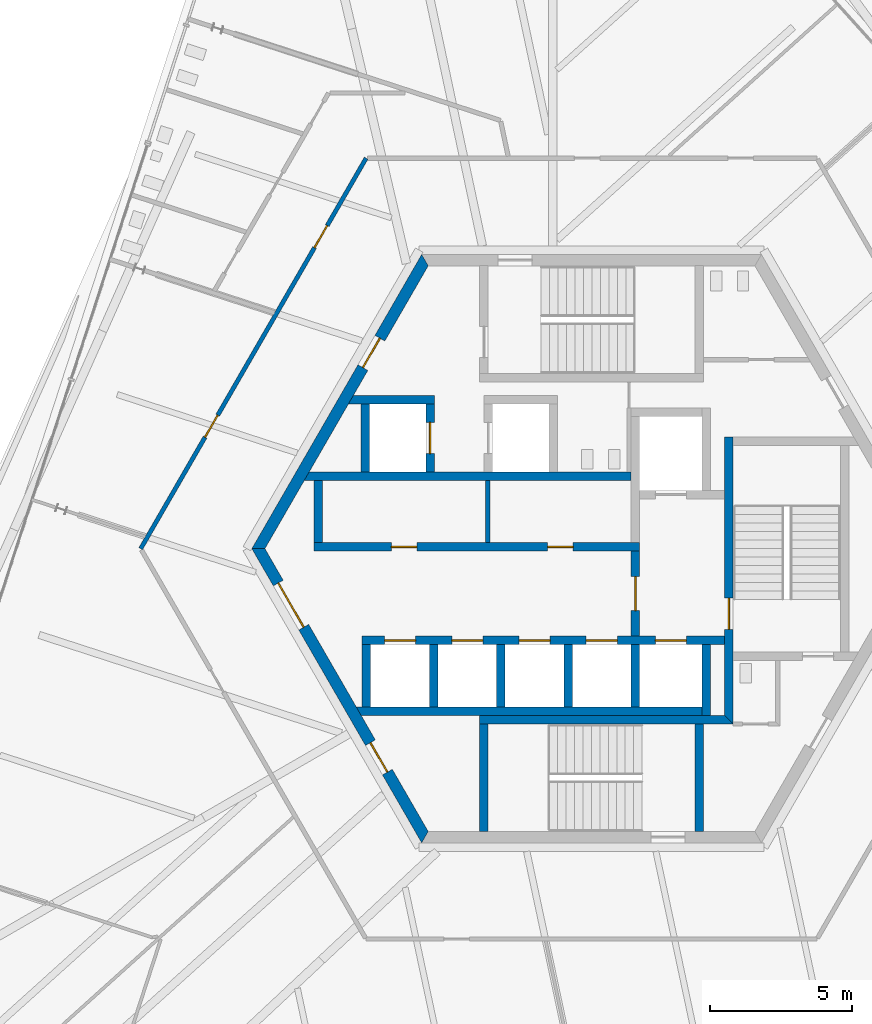
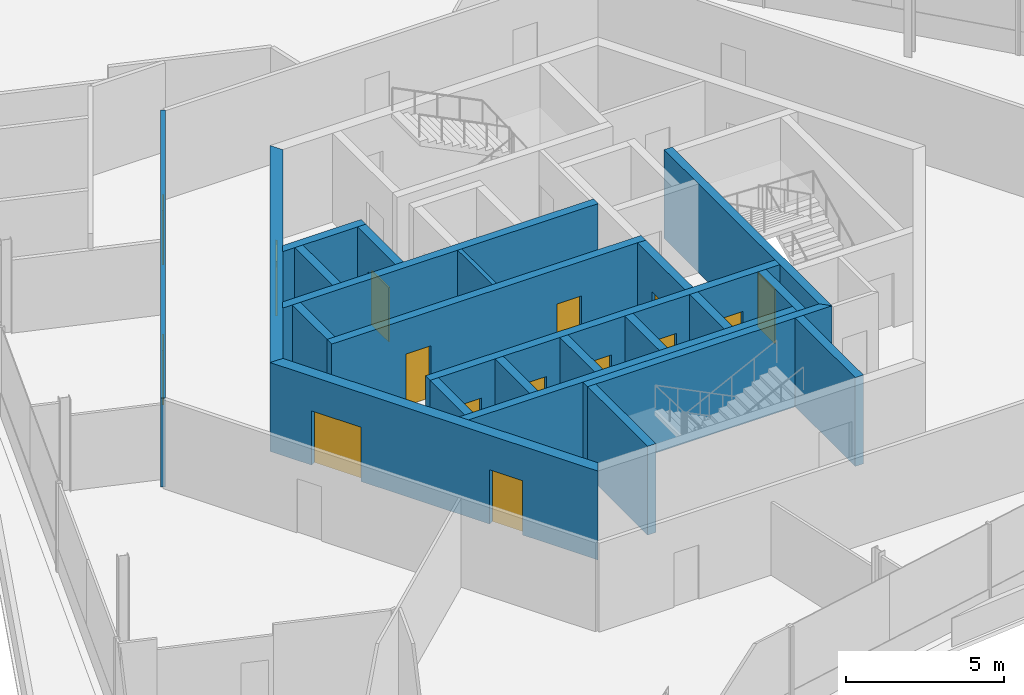
# One storey, part 14 of 20: 23 walls, 15 doors, 15 openings.
"""IFC4 building model written with IfcOpenShell, lengths in metres."""

from ifc_helpers import new_model, si_unit, direction, frame, frame_2d, origin, place, context, subcontext, project, spatial, polyline, rectangle, outline, extrude, source, transform, mapped, material, layer, layer_set, type_object, element, fill, save


model = new_model("IFC4")

# Units and contexts
model_context = context("Model", 3, precision=1e-05, world=origin(), true_north=direction((0.0, 1.0)))
body_context = subcontext(model_context, "Body", "Model", "MODEL_VIEW")
ifc_project = project(units=[si_unit("LENGTHUNIT", "METRE"), si_unit("AREAUNIT", "SQUARE_METRE"), si_unit("VOLUMEUNIT", "CUBIC_METRE"), si_unit("PLANEANGLEUNIT", "RADIAN"), si_unit("MASSUNIT", "GRAM", prefix="KILO")], contexts=[model_context])

# Site, building, storey
site_placement = place(None, origin())
site = spatial("IfcSite", under=ifc_project, at=site_placement, CompositionType="ELEMENT")
building_placement = place(site_placement, origin())
building = spatial("IfcBuilding", under=site, at=building_placement, Name="Triune Harvest Tower", CompositionType="ELEMENT")
storey_placement = place(building_placement, frame((0.0, 0.0, 259.5)))
storey = spatial("IfcBuildingStorey", under=building, at=storey_placement, Name="L68", CompositionType="ELEMENT", Elevation=259.5)

# Wall, opening, door
ifc_material_1 = material(Name="Concrete 70 MPa", Category="concrete")
ifc_layer_1 = layer(ifc_material_1, 0.39990234375)
ifc_layer_set_1 = layer_set([ifc_layer_1], Name="Concrete 70 MPa")
wall_type_1 = type_object("IfcWallType", Name="Core wall 400", PredefinedType="SHEAR", material=ifc_layer_set_1)
shared_shape_1 = source(origin(), body_context, "Body", "SweptSolid", [
    extrude(outline(polyline([(-0.115478515625, -0.199951171875), (11.884521484375, -0.199951171875), (11.653564453125, 0.199951171875), (0.115478515625, 0.199951171875), (-0.115478515625, -0.199951171875)])), origin(), (0.0, 0.0, 1.0), 3.43994140625),
])
wall_1_placement = place(storey_placement, frame((-5.884521484375, 10.1923828125, 0.0), z_axis=(0.0, 0.0, 1.0), x_axis=(-0.499996592174, -0.866027371285, 0.0)))
wall_1 = element("IfcWall", 1, at=wall_1_placement, inside=storey, type_object=wall_type_1, Name="Hexagon 2 wall", PredefinedType="SHEAR", context=body_context, shape_type="MappedRepresentation", body=[
    mapped(shared_shape_1, transform((0.0, 0.0, 0.0), scale=1.0)),
])
opening_1_placement = place(wall_1_placement, frame((3.1845703125, 0.0, 0.0)))
opening_1 = element("IfcOpeningElement", 2, at=opening_1_placement, cuts=wall_1, Name="Opening CD-SVP", PredefinedType="OPENING", context=body_context, shape_type="SweptSolid", body=[
    extrude(rectangle(XDim=1.199951171875, YDim=2.10009765625, at=frame_2d((0.60009765625, 1.050048828125))), frame((0.0, 0.2099609375, 0.0), z_axis=(0.0, -1.0, 0.0), x_axis=(1.0, 0.0, 0.0)), (0.0, 0.0, 1.0), 0.419921875),
])
ifc_material_2 = material(Name="Steel S235", Category="steel")
door_type_1 = type_object("IfcDoorType", Name="Service door 1200 FD120", OperationType="SINGLE_SWING_LEFT", PredefinedType="DOOR", material=ifc_material_2)
door_1_placement = place(opening_1_placement, frame((1.199951171875, 0.0, 0.0), z_axis=(0.0, 0.0, 1.0), x_axis=(-1.0, 0.0, 0.0)))
door_1 = element("IfcDoor", 3, at=door_1_placement, inside=storey, type_object=door_type_1, Name="Door CD-SVP", OperationType="SINGLE_SWING_RIGHT", OverallHeight=2.10009765625, OverallWidth=1.199951171875, PredefinedType="DOOR", context=body_context, shape_type="SweptSolid", body=[
    extrude(rectangle(XDim=1.199951171875, YDim=2.10009765625, at=frame_2d((0.60009765625, 1.050048828125))), frame((0.0, 0.02490234375, 0.0), z_axis=(0.0, -1.0, 0.0), x_axis=(1.0, 0.0, 0.0)), (0.0, 0.0, 1.0), 0.050048828125),
])
fill(opening_1, door_1)

# Wall, openings, doors
wall_2_placement = place(storey_placement, frame((-11.76904296875, 0.0, 0.0), z_axis=(0.0, 0.0, 1.0), x_axis=(0.499996592174, -0.866027371285, 0.0)))
wall_2 = element("IfcWall", 4, at=wall_2_placement, inside=storey, type_object=wall_type_1, Name="Hexagon 3 wall", PredefinedType="SHEAR", context=body_context, shape_type="MappedRepresentation", body=[
    mapped(shared_shape_1, transform((0.0, 0.0, 0.0), scale=1.0)),
])
opening_2_placement = place(wall_2_placement, frame((1.404541015625, 0.0, 0.0)))
opening_2 = element("IfcOpeningElement", 5, at=opening_2_placement, cuts=wall_2, Name="Opening CD-LS", PredefinedType="OPENING", context=body_context, shape_type="SweptSolid", body=[
    extrude(rectangle(XDim=1.800048828125, YDim=2.10009765625, at=frame_2d((0.89990234375, 1.050048828125))), frame((0.0, 0.2099609375, 0.0), z_axis=(0.0, -1.0, 0.0), x_axis=(1.0, 0.0, 0.0)), (0.0, 0.0, 1.0), 0.419921875),
])
opening_3_placement = place(wall_2_placement, frame((7.91455078125, 0.0, 0.0)))
opening_3 = element("IfcOpeningElement", 6, at=opening_3_placement, cuts=wall_2, Name="Opening CD-SWP", PredefinedType="OPENING", context=body_context, shape_type="SweptSolid", body=[
    extrude(rectangle(XDim=1.199951171875, YDim=2.10009765625, at=frame_2d((0.60009765625, 1.050048828125))), frame((0.0, 0.2099609375, 0.0), z_axis=(0.0, -1.0, 0.0), x_axis=(1.0, 0.0, 0.0)), (0.0, 0.0, 1.0), 0.419921875),
])
ifc_material_3 = material(Name="Steel S235", Category="steel")
door_type_2 = type_object("IfcDoorType", Name="Lobby door 1800 FD120", OperationType="DOUBLE_DOOR_DOUBLE_SWING", PredefinedType="DOOR", material=ifc_material_3)
door_2_placement = place(opening_2_placement, frame((1.800048828125, 0.0, 0.0), z_axis=(0.0, 0.0, 1.0), x_axis=(-1.0, 0.0, 0.0)))
door_2 = element("IfcDoor", 7, at=door_2_placement, inside=storey, type_object=door_type_2, Name="Door CD-LS", OperationType="DOUBLE_DOOR_DOUBLE_SWING", OverallHeight=2.10009765625, OverallWidth=1.800048828125, PredefinedType="DOOR", context=body_context, shape_type="SweptSolid", body=[
    extrude(rectangle(XDim=1.800048828125, YDim=2.10009765625, at=frame_2d((0.89990234375, 1.050048828125))), frame((0.0, 0.02490234375, 0.0), z_axis=(0.0, -1.0, 0.0), x_axis=(1.0, 0.0, 0.0)), (0.0, 0.0, 1.0), 0.050048828125),
])
fill(opening_2, door_2)
door_3_placement = place(opening_3_placement, frame((1.199951171875, 0.0, 0.0), z_axis=(0.0, 0.0, 1.0), x_axis=(-1.0, 0.0, 0.0)))
door_3 = element("IfcDoor", 8, at=door_3_placement, inside=storey, type_object=door_type_1, Name="Door CD-SWP", OperationType="SINGLE_SWING_RIGHT", OverallHeight=2.10009765625, OverallWidth=1.199951171875, PredefinedType="DOOR", context=body_context, shape_type="SweptSolid", body=[
    extrude(rectangle(XDim=1.199951171875, YDim=2.10009765625, at=frame_2d((0.60009765625, 1.050048828125))), frame((0.0, 0.02490234375, 0.0), z_axis=(0.0, -1.0, 0.0), x_axis=(1.0, 0.0, 0.0)), (0.0, 0.0, 1.0), 0.050048828125),
])
fill(opening_3, door_3)

ifc_material_4 = material(Name="Concrete 70 MPa", Category="concrete")
ifc_layer_2 = layer(ifc_material_4, 0.300048828125)
ifc_layer_set_2 = layer_set([ifc_layer_2], Name="Concrete 70 MPa")
wall_type_2 = type_object("IfcWallType", Name="Core wall 300", PredefinedType="SHEAR", material=ifc_layer_set_2)
shared_shape_2 = source(origin(), body_context, "Body", "SweptSolid", [
    extrude(rectangle(XDim=11.5, YDim=0.300048828125, at=frame_2d((5.75, 0.0))), origin(), (0.0, 0.0, 1.0), 3.43994140625),
])
wall_3_placement = place(storey_placement, frame((-9.800048828125, 0.06005859375, 0.0), z_axis=(0.0, 0.0, 1.0), x_axis=(1.0, 0.0, 0.0)))
wall_3 = element("IfcWall", 9, at=wall_3_placement, inside=storey, type_object=wall_type_2, Name="North front wall", PredefinedType="SHEAR", context=body_context, shape_type="MappedRepresentation", body=[
    mapped(shared_shape_2, transform((0.0, 0.0, 0.0), scale=1.0)),
])
opening_4_placement = place(wall_3_placement, frame((2.7275390625, 0.0, 0.0)))
opening_4 = element("IfcOpeningElement", 10, at=opening_4_placement, cuts=wall_3, Name="Opening CD-RN1", PredefinedType="OPENING", context=body_context, shape_type="SweptSolid", body=[
    extrude(rectangle(XDim=0.89990234375, YDim=2.10009765625, at=frame_2d((0.449951171875, 1.050048828125))), frame((0.0, 0.16015625, 0.0), z_axis=(0.0, -1.0, 0.0), x_axis=(1.0, 0.0, 0.0)), (0.0, 0.0, 1.0), 0.320068359375),
])
opening_5_placement = place(wall_3_placement, frame((8.25244140625, 0.0, 0.0)))
opening_5 = element("IfcOpeningElement", 11, at=opening_5_placement, cuts=wall_3, Name="Opening CD-RN2", PredefinedType="OPENING", context=body_context, shape_type="SweptSolid", body=[
    extrude(rectangle(XDim=0.89990234375, YDim=2.10009765625, at=frame_2d((0.449951171875, 1.050048828125))), frame((0.0, 0.16015625, 0.0), z_axis=(0.0, -1.0, 0.0), x_axis=(1.0, 0.0, 0.0)), (0.0, 0.0, 1.0), 0.320068359375),
])
ifc_material_5 = material(Name="Steel S235", Category="steel")
door_type_3 = type_object("IfcDoorType", Name="Riser door 900 FD120", OperationType="SINGLE_SWING_LEFT", PredefinedType="DOOR", material=ifc_material_5)
door_4_placement = place(opening_4_placement, frame((0.89990234375, 0.0, 0.0), z_axis=(0.0, 0.0, 1.0), x_axis=(-1.0, 0.0, 0.0)))
door_4 = element("IfcDoor", 12, at=door_4_placement, inside=storey, type_object=door_type_3, Name="Door CD-RN1", OperationType="SINGLE_SWING_RIGHT", OverallHeight=2.10009765625, OverallWidth=0.89990234375, PredefinedType="DOOR", context=body_context, shape_type="SweptSolid", body=[
    extrude(rectangle(XDim=0.89990234375, YDim=2.10009765625, at=frame_2d((0.449951171875, 1.050048828125))), frame((0.0, 0.02490234375, 0.0), z_axis=(0.0, -1.0, 0.0), x_axis=(1.0, 0.0, 0.0)), (0.0, 0.0, 1.0), 0.050048828125),
])
fill(opening_4, door_4)
door_5_placement = place(opening_5_placement, frame((0.89990234375, 0.0, 0.0), z_axis=(0.0, 0.0, 1.0), x_axis=(-1.0, 0.0, 0.0)))
door_5 = element("IfcDoor", 13, at=door_5_placement, inside=storey, type_object=door_type_3, Name="Door CD-RN2", OperationType="SINGLE_SWING_RIGHT", OverallHeight=2.10009765625, OverallWidth=0.89990234375, PredefinedType="DOOR", context=body_context, shape_type="SweptSolid", body=[
    extrude(rectangle(XDim=0.89990234375, YDim=2.10009765625, at=frame_2d((0.449951171875, 1.050048828125))), frame((0.0, 0.02490234375, 0.0), z_axis=(0.0, -1.0, 0.0), x_axis=(1.0, 0.0, 0.0)), (0.0, 0.0, 1.0), 0.050048828125),
])
fill(opening_5, door_5)

# Walls
shared_shape_3 = source(origin(), body_context, "Body", "SweptSolid", [
    extrude(outline(polyline([(11.199951171875, -0.14990234375), (-0.34912109375, -0.14990234375), (-0.17578125, 0.14990234375), (11.199951171875, 0.14990234375), (11.199951171875, -0.14990234375)])), origin(), (0.0, 0.0, 1.0), 3.43994140625),
])
wall_4_placement = place(storey_placement, frame((-9.800048828125, 2.56005859375, 0.0), z_axis=(0.0, 0.0, 1.0), x_axis=(1.0, 0.0, 0.0)))
element("IfcWall", 14, at=wall_4_placement, inside=storey, type_object=wall_type_2, Name="North back wall", PredefinedType="SHEAR", context=body_context, shape_type="MappedRepresentation", body=[
    mapped(shared_shape_3, transform((0.0, 0.0, 0.0), scale=1.0)),
])
shared_shape_4 = source(origin(), body_context, "Body", "SweptSolid", [
    extrude(rectangle(XDim=2.5, YDim=0.300048828125, at=frame_2d((1.25, 0.0))), origin(), (0.0, 0.0, 1.0), 3.43994140625),
])
wall_5_placement = place(storey_placement, frame((4.050048828125, -5.889892578125, 0.0), z_axis=(0.0, 0.0, 1.0), x_axis=(0.0, 1.0, 0.0)))
element("IfcWall", 15, at=wall_5_placement, inside=storey, type_object=wall_type_2, Name="Ff2 east wall", PredefinedType="SHEAR", context=body_context, shape_type="MappedRepresentation", body=[
    mapped(shared_shape_4, transform((0.0, 0.0, 0.0), scale=1.0)),
])

# Wall, opening, door
shared_shape_5 = source(origin(), body_context, "Body", "SweptSolid", [
    extrude(rectangle(XDim=3.0, YDim=0.300048828125, at=frame_2d((1.5, 0.0))), origin(), (0.0, 0.0, 1.0), 3.43994140625),
])
wall_6_placement = place(storey_placement, frame((1.550048828125, -3.090087890625, 0.0), z_axis=(0.0, 0.0, 1.0), x_axis=(0.0, 1.0, 0.0)))
wall_6 = element("IfcWall", 16, at=wall_6_placement, inside=storey, type_object=wall_type_2, Name="Ff lobby west wall", PredefinedType="SHEAR", context=body_context, shape_type="MappedRepresentation", body=[
    mapped(shared_shape_5, transform((0.0, 0.0, 0.0), scale=1.0)),
])
opening_6_placement = place(wall_6_placement, frame((0.89990234375, 0.0, 0.0)))
opening_6 = element("IfcOpeningElement", 17, at=opening_6_placement, cuts=wall_6, Name="Opening CD-FL", PredefinedType="OPENING", context=body_context, shape_type="SweptSolid", body=[
    extrude(rectangle(XDim=1.199951171875, YDim=2.10009765625, at=frame_2d((0.60009765625, 1.050048828125))), frame((0.0, 0.16015625, 0.0), z_axis=(0.0, -1.0, 0.0), x_axis=(1.0, 0.0, 0.0)), (0.0, 0.0, 1.0), 0.320068359375),
])
ifc_material_6 = material(Name="Steel S235", Category="steel")
door_type_4 = type_object("IfcDoorType", Name="Firefighters' lobby door 1200 FD120", OperationType="SINGLE_SWING_LEFT", PredefinedType="DOOR", material=ifc_material_6)
door_6_placement = place(opening_6_placement, frame((1.199951171875, 0.0, 0.0), z_axis=(0.0, 0.0, 1.0), x_axis=(-1.0, 0.0, 0.0)))
door_6 = element("IfcDoor", 18, at=door_6_placement, inside=storey, type_object=door_type_4, Name="Door CD-FL", OperationType="SINGLE_SWING_RIGHT", OverallHeight=2.10009765625, OverallWidth=1.199951171875, PredefinedType="DOOR", context=body_context, shape_type="SweptSolid", body=[
    extrude(rectangle(XDim=1.199951171875, YDim=2.10009765625, at=frame_2d((0.60009765625, 1.050048828125))), frame((0.0, 0.02490234375, 0.0), z_axis=(0.0, -1.0, 0.0), x_axis=(1.0, 0.0, 0.0)), (0.0, 0.0, 1.0), 0.050048828125),
])
fill(opening_6, door_6)

# Wall, openings, doors
shared_shape_6 = source(origin(), body_context, "Body", "SweptSolid", [
    extrude(rectangle(XDim=12.800048828125, YDim=0.300048828125, at=frame_2d((6.39990234375, 0.0))), origin(), (0.0, 0.0, 1.0), 3.43994140625),
])
wall_7_placement = place(storey_placement, frame((-8.10009765625, -3.239990234375, 0.0), z_axis=(0.0, 0.0, 1.0), x_axis=(1.0, 0.0, 0.0)))
wall_7 = element("IfcWall", 19, at=wall_7_placement, inside=storey, type_object=wall_type_2, Name="South front wall", PredefinedType="SHEAR", context=body_context, shape_type="MappedRepresentation", body=[
    mapped(shared_shape_6, transform((0.0, 0.0, 0.0), scale=1.0)),
])
opening_7_placement = place(wall_7_placement, frame((0.78759765625, 0.0, 0.0)))
opening_7 = element("IfcOpeningElement", 20, at=opening_7_placement, cuts=wall_7, Name="Opening LD-HR1-68", PredefinedType="OPENING", context=body_context, shape_type="SweptSolid", body=[
    extrude(rectangle(XDim=1.10009765625, YDim=2.10009765625, at=frame_2d((0.550048828125, 1.050048828125))), frame((0.0, 0.16015625, 0.0), z_axis=(0.0, -1.0, 0.0), x_axis=(1.0, 0.0, 0.0)), (0.0, 0.0, 1.0), 0.320068359375),
])
opening_8_placement = place(wall_7_placement, frame((3.16259765625, 0.0, 0.0)))
opening_8 = element("IfcOpeningElement", 21, at=opening_8_placement, cuts=wall_7, Name="Opening LD-HR2-68", PredefinedType="OPENING", context=body_context, shape_type="SweptSolid", body=[
    extrude(rectangle(XDim=1.10009765625, YDim=2.10009765625, at=frame_2d((0.550048828125, 1.050048828125))), frame((0.0, 0.16015625, 0.0), z_axis=(0.0, -1.0, 0.0), x_axis=(1.0, 0.0, 0.0)), (0.0, 0.0, 1.0), 0.320068359375),
])
opening_9_placement = place(wall_7_placement, frame((5.53759765625, 0.0, 0.0)))
opening_9 = element("IfcOpeningElement", 22, at=opening_9_placement, cuts=wall_7, Name="Opening LD-HR3-68", PredefinedType="OPENING", context=body_context, shape_type="SweptSolid", body=[
    extrude(rectangle(XDim=1.10009765625, YDim=2.10009765625, at=frame_2d((0.550048828125, 1.050048828125))), frame((0.0, 0.16015625, 0.0), z_axis=(0.0, -1.0, 0.0), x_axis=(1.0, 0.0, 0.0)), (0.0, 0.0, 1.0), 0.320068359375),
])
opening_10_placement = place(wall_7_placement, frame((7.91259765625, 0.0, 0.0)))
opening_10 = element("IfcOpeningElement", 23, at=opening_10_placement, cuts=wall_7, Name="Opening LD-HR4-68", PredefinedType="OPENING", context=body_context, shape_type="SweptSolid", body=[
    extrude(rectangle(XDim=1.10009765625, YDim=2.10009765625, at=frame_2d((0.550048828125, 1.050048828125))), frame((0.0, 0.16015625, 0.0), z_axis=(0.0, -1.0, 0.0), x_axis=(1.0, 0.0, 0.0)), (0.0, 0.0, 1.0), 0.320068359375),
])
opening_11_placement = place(wall_7_placement, frame((10.35009765625, 0.0, 0.0)))
opening_11 = element("IfcOpeningElement", 24, at=opening_11_placement, cuts=wall_7, Name="Opening LD-FF2-68", PredefinedType="OPENING", context=body_context, shape_type="SweptSolid", body=[
    extrude(rectangle(XDim=1.10009765625, YDim=2.10009765625, at=frame_2d((0.550048828125, 1.050048828125))), frame((0.0, 0.16015625, 0.0), z_axis=(0.0, -1.0, 0.0), x_axis=(1.0, 0.0, 0.0)), (0.0, 0.0, 1.0), 0.320068359375),
])
ifc_material_7 = material(Name="Stainless steel AISI 304", Category="steel")
door_type_5 = type_object("IfcDoorType", Name="Landing door 1100 x 2100", OperationType="DOUBLE_DOOR_SLIDING", PredefinedType="DOOR", material=ifc_material_7)
door_7_placement = place(opening_7_placement, origin())
door_7 = element("IfcDoor", 25, at=door_7_placement, inside=storey, type_object=door_type_5, Name="Door LD-HR1-68", OperationType="DOUBLE_DOOR_SLIDING", OverallHeight=2.10009765625, OverallWidth=1.10009765625, PredefinedType="DOOR", context=body_context, shape_type="SweptSolid", body=[
    extrude(rectangle(XDim=1.10009765625, YDim=2.10009765625, at=frame_2d((0.550048828125, 1.050048828125))), frame((0.0, 0.02490234375, 0.0), z_axis=(0.0, -1.0, 0.0), x_axis=(1.0, 0.0, 0.0)), (0.0, 0.0, 1.0), 0.050048828125),
])
fill(opening_7, door_7)
door_8_placement = place(opening_8_placement, origin())
door_8 = element("IfcDoor", 26, at=door_8_placement, inside=storey, type_object=door_type_5, Name="Door LD-HR2-68", OperationType="DOUBLE_DOOR_SLIDING", OverallHeight=2.10009765625, OverallWidth=1.10009765625, PredefinedType="DOOR", context=body_context, shape_type="SweptSolid", body=[
    extrude(rectangle(XDim=1.10009765625, YDim=2.10009765625, at=frame_2d((0.550048828125, 1.050048828125))), frame((0.0, 0.02490234375, 0.0), z_axis=(0.0, -1.0, 0.0), x_axis=(1.0, 0.0, 0.0)), (0.0, 0.0, 1.0), 0.050048828125),
])
fill(opening_8, door_8)
door_9_placement = place(opening_9_placement, origin())
door_9 = element("IfcDoor", 27, at=door_9_placement, inside=storey, type_object=door_type_5, Name="Door LD-HR3-68", OperationType="DOUBLE_DOOR_SLIDING", OverallHeight=2.10009765625, OverallWidth=1.10009765625, PredefinedType="DOOR", context=body_context, shape_type="SweptSolid", body=[
    extrude(rectangle(XDim=1.10009765625, YDim=2.10009765625, at=frame_2d((0.550048828125, 1.050048828125))), frame((0.0, 0.02490234375, 0.0), z_axis=(0.0, -1.0, 0.0), x_axis=(1.0, 0.0, 0.0)), (0.0, 0.0, 1.0), 0.050048828125),
])
fill(opening_9, door_9)
door_10_placement = place(opening_10_placement, origin())
door_10 = element("IfcDoor", 28, at=door_10_placement, inside=storey, type_object=door_type_5, Name="Door LD-HR4-68", OperationType="DOUBLE_DOOR_SLIDING", OverallHeight=2.10009765625, OverallWidth=1.10009765625, PredefinedType="DOOR", context=body_context, shape_type="SweptSolid", body=[
    extrude(rectangle(XDim=1.10009765625, YDim=2.10009765625, at=frame_2d((0.550048828125, 1.050048828125))), frame((0.0, 0.02490234375, 0.0), z_axis=(0.0, -1.0, 0.0), x_axis=(1.0, 0.0, 0.0)), (0.0, 0.0, 1.0), 0.050048828125),
])
fill(opening_10, door_10)
door_11_placement = place(opening_11_placement, origin())
door_11 = element("IfcDoor", 29, at=door_11_placement, inside=storey, type_object=door_type_5, Name="Door LD-FF2-68", OperationType="DOUBLE_DOOR_SLIDING", OverallHeight=2.10009765625, OverallWidth=1.10009765625, PredefinedType="DOOR", context=body_context, shape_type="SweptSolid", body=[
    extrude(rectangle(XDim=1.10009765625, YDim=2.10009765625, at=frame_2d((0.550048828125, 1.050048828125))), frame((0.0, 0.02490234375, 0.0), z_axis=(0.0, -1.0, 0.0), x_axis=(1.0, 0.0, 0.0)), (0.0, 0.0, 1.0), 0.050048828125),
])
fill(opening_11, door_11)

# Walls
shared_shape_7 = source(origin(), body_context, "Body", "SweptSolid", [
    extrude(outline(polyline([(12.0, -0.14990234375), (-0.039794921875, -0.14990234375), (-0.212890625, 0.14990234375), (12.0, 0.14990234375), (12.0, -0.14990234375)])), origin(), (0.0, 0.0, 1.0), 3.43994140625),
])
wall_8_placement = place(storey_placement, frame((-8.10009765625, -5.739990234375, 0.0), z_axis=(0.0, 0.0, 1.0), x_axis=(1.0, 0.0, 0.0)))
element("IfcWall", 30, at=wall_8_placement, inside=storey, type_object=wall_type_2, Name="South back wall", PredefinedType="SHEAR", context=body_context, shape_type="MappedRepresentation", body=[
    mapped(shared_shape_7, transform((0.0, 0.0, 0.0), scale=1.0)),
])
shared_shape_8 = source(origin(), body_context, "Body", "SweptSolid", [
    extrude(rectangle(XDim=2.2001953125, YDim=0.300048828125, at=frame_2d((1.10009765625, 0.0))), origin(), (0.0, 0.0, 1.0), 3.43994140625),
])
for number, where, z_axis, x_axis, name in (
    (31, (-7.949951171875, -5.590087890625, 0.0), (0.0, 0.0, 1.0), (0.0, 1.0, 0.0), "South end west wall"),
    (32, (1.550048828125, -5.590087890625, 0.0), (0.0, 0.0, 1.0), (0.0, 1.0, 0.0), "Ff2 west wall"),
    (33, (-5.574951171875, -5.590087890625, 0.0), (0.0, 0.0, 1.0), (0.0, 1.0, 0.0), "South cross 1 wall"),
    (34, (-3.199951171875, -5.590087890625, 0.0), (0.0, 0.0, 1.0), (0.0, 1.0, 0.0), "South cross 2 wall"),
    (35, (-0.824951171875, -5.590087890625, 0.0), (0.0, 0.0, 1.0), (0.0, 1.0, 0.0), "South cross 3 wall"),
):
    element("IfcWall", number, at=place(storey_placement, frame(where, z_axis=z_axis, x_axis=x_axis)), inside=storey, type_object=wall_type_2, Name=name, PredefinedType="SHEAR", context=body_context, shape_type="MappedRepresentation", body=[
        mapped(shared_shape_8, transform((0.0, 0.0, 0.0), scale=1.0)),
    ])
shared_shape_9 = source(origin(), body_context, "Body", "SweptSolid", [
    extrude(rectangle(XDim=2.199951171875, YDim=0.300048828125, at=frame_2d((1.10009765625, 0.0))), origin(), (0.0, 0.0, 1.0), 3.43994140625),
])
wall_9_placement = place(storey_placement, frame((-9.64990234375, 0.2099609375, 0.0), z_axis=(0.0, 0.0, 1.0), x_axis=(0.0, 1.0, 0.0)))
element("IfcWall", 36, at=wall_9_placement, inside=storey, type_object=wall_type_2, Name="North end west wall", PredefinedType="SHEAR", context=body_context, shape_type="MappedRepresentation", body=[
    mapped(shared_shape_9, transform((0.0, 0.0, 0.0), scale=1.0)),
])

# Wall, opening, door
shared_shape_10 = source(origin(), body_context, "Body", "SweptSolid", [
    extrude(outline(polyline([(-0.14990234375, -0.14990234375), (9.989990234375, -0.14990234375), (9.989990234375, 0.14990234375), (0.14990234375, 0.14990234375), (-0.14990234375, -0.14990234375)])), origin(), (0.0, 0.0, 1.0), 3.43994140625),
])
wall_10_placement = place(storey_placement, frame((4.85009765625, -6.0400390625, 0.0), z_axis=(0.0, 0.0, 1.0), x_axis=(0.0, 1.0, 0.0)))
wall_10 = element("IfcWall", 37, at=wall_10_placement, inside=storey, type_object=wall_type_2, Name="Stair e west wall", PredefinedType="SHEAR", context=body_context, shape_type="MappedRepresentation", body=[
    mapped(shared_shape_10, transform((0.0, 0.0, 0.0), scale=1.0)),
])
opening_12_placement = place(wall_10_placement, frame((3.18994140625, 0.0, 0.0)))
opening_12 = element("IfcOpeningElement", 38, at=opening_12_placement, cuts=wall_10, Name="Opening CD-S3L", PredefinedType="OPENING", context=body_context, shape_type="SweptSolid", body=[
    extrude(rectangle(XDim=1.10009765625, YDim=2.10009765625, at=frame_2d((0.550048828125, 1.050048828125))), frame((0.0, 0.16015625, 0.0), z_axis=(0.0, -1.0, 0.0), x_axis=(1.0, 0.0, 0.0)), (0.0, 0.0, 1.0), 0.320068359375),
])
ifc_material_8 = material(Name="Steel S235", Category="steel")
door_type_6 = type_object("IfcDoorType", Name="Stair door 1100 FD120", OperationType="SINGLE_SWING_LEFT", PredefinedType="DOOR", material=ifc_material_8)
door_12_placement = place(opening_12_placement, frame((1.10009765625, 0.0, 0.0), z_axis=(0.0, 0.0, 1.0), x_axis=(-1.0, 0.0, 0.0)))
door_12 = element("IfcDoor", 39, at=door_12_placement, inside=storey, type_object=door_type_6, Name="Door CD-S3L", OperationType="SINGLE_SWING_RIGHT", OverallHeight=2.10009765625, OverallWidth=1.10009765625, PredefinedType="DOOR", context=body_context, shape_type="SweptSolid", body=[
    extrude(rectangle(XDim=1.10009765625, YDim=2.10009765625, at=frame_2d((0.550048828125, 1.050048828125))), frame((0.0, 0.02490234375, 0.0), z_axis=(0.0, -1.0, 0.0), x_axis=(1.0, 0.0, 0.0)), (0.0, 0.0, 1.0), 0.050048828125),
])
fill(opening_12, door_12)

# Walls
shared_shape_11 = source(origin(), body_context, "Body", "SweptSolid", [
    extrude(outline(polyline([(0.0, -0.14990234375), (8.949951171875, -0.14990234375), (8.64990234375, 0.14990234375), (0.0, 0.14990234375), (0.0, -0.14990234375)])), origin(), (0.0, 0.0, 1.0), 3.43994140625),
])
wall_11_placement = place(storey_placement, frame((-3.949951171875, -6.0400390625, 0.0), z_axis=(0.0, 0.0, 1.0), x_axis=(1.0, 0.0, 0.0)))
element("IfcWall", 40, at=wall_11_placement, inside=storey, type_object=wall_type_2, Name="Stair s north wall", PredefinedType="SHEAR", context=body_context, shape_type="MappedRepresentation", body=[
    mapped(shared_shape_11, transform((0.0, 0.0, 0.0), scale=1.0)),
])
shared_shape_12 = source(origin(), body_context, "Body", "SweptSolid", [
    extrude(outline(polyline([(3.800048828125, -0.14990234375), (-0.00439453125, -0.14990234375), (-0.00439453125, 0.14990234375), (3.800048828125, 0.14990234375), (3.800048828125, -0.14990234375)])), origin(), (0.0, 0.0, 1.0), 3.43994140625),
])
for number, where, z_axis, x_axis, name in (
    (41, (-3.800048828125, -9.989990234375, 0.0), (0.0, 0.0, 1.0), (0.0, 1.0, 0.0), "Stair s west wall"),
    (42, (3.800048828125, -9.989990234375, 0.0), (0.0, 0.0, 1.0), (0.0, 1.0, 0.0), "Stair s east wall"),
):
    element("IfcWall", number, at=place(storey_placement, frame(where, z_axis=z_axis, x_axis=x_axis)), inside=storey, type_object=wall_type_2, Name=name, PredefinedType="SHEAR", context=body_context, shape_type="MappedRepresentation", body=[
        mapped(shared_shape_12, transform((0.0, 0.0, 0.0), scale=1.0)),
    ])
shared_shape_13 = source(origin(), body_context, "Body", "SweptSolid", [
    extrude(outline(polyline([(2.60009765625, -0.14990234375), (-0.440185546875, -0.14990234375), (-0.26708984375, 0.14990234375), (2.60009765625, 0.14990234375), (2.60009765625, -0.14990234375)])), origin(), (0.0, 0.0, 1.0), 3.43994140625),
])
wall_12_placement = place(storey_placement, frame((-8.14990234375, 5.260009765625, 0.0), z_axis=(0.0, 0.0, 1.0), x_axis=(1.0, 0.0, 0.0)))
element("IfcWall", 43, at=wall_12_placement, inside=storey, type_object=wall_type_2, Name="Sv1 north wall", PredefinedType="SHEAR", context=body_context, shape_type="MappedRepresentation", body=[
    mapped(shared_shape_13, transform((0.0, 0.0, 0.0), scale=1.0)),
])
shared_shape_14 = source(origin(), body_context, "Body", "SweptSolid", [
    extrude(rectangle(XDim=2.400146484375, YDim=0.300048828125, at=frame_2d((1.2001953125, 0.0))), origin(), (0.0, 0.0, 1.0), 3.43994140625),
])
wall_13_placement = place(storey_placement, frame((-8.0, 2.7099609375, 0.0), z_axis=(0.0, 0.0, 1.0), x_axis=(0.0, 1.0, 0.0)))
element("IfcWall", 44, at=wall_13_placement, inside=storey, type_object=wall_type_2, Name="Sv1 west wall", PredefinedType="SHEAR", context=body_context, shape_type="MappedRepresentation", body=[
    mapped(shared_shape_14, transform((0.0, 0.0, 0.0), scale=1.0)),
])

# Wall, opening, door
wall_14_placement = place(storey_placement, frame((-5.699951171875, 2.7099609375, 0.0), z_axis=(0.0, 0.0, 1.0), x_axis=(0.0, 1.0, 0.0)))
wall_14 = element("IfcWall", 45, at=wall_14_placement, inside=storey, type_object=wall_type_2, Name="Sv1 east wall", PredefinedType="SHEAR", context=body_context, shape_type="MappedRepresentation", body=[
    mapped(shared_shape_14, transform((0.0, 0.0, 0.0), scale=1.0)),
])
opening_13_placement = place(wall_14_placement, frame((0.64990234375, 0.0, 0.0)))
opening_13 = element("IfcOpeningElement", 46, at=opening_13_placement, cuts=wall_14, Name="Opening LD-SV1-68", PredefinedType="OPENING", context=body_context, shape_type="SweptSolid", body=[
    extrude(rectangle(XDim=1.10009765625, YDim=2.10009765625, at=frame_2d((0.550048828125, 1.050048828125))), frame((0.0, 0.16015625, 0.0), z_axis=(0.0, -1.0, 0.0), x_axis=(1.0, 0.0, 0.0)), (0.0, 0.0, 1.0), 0.320068359375),
])
door_13_placement = place(opening_13_placement, origin())
door_13 = element("IfcDoor", 47, at=door_13_placement, inside=storey, type_object=door_type_5, Name="Door LD-SV1-68", OperationType="DOUBLE_DOOR_SLIDING", OverallHeight=2.10009765625, OverallWidth=1.10009765625, PredefinedType="DOOR", context=body_context, shape_type="SweptSolid", body=[
    extrude(rectangle(XDim=1.10009765625, YDim=2.10009765625, at=frame_2d((0.550048828125, 1.050048828125))), frame((0.0, 0.02490234375, 0.0), z_axis=(0.0, -1.0, 0.0), x_axis=(1.0, 0.0, 0.0)), (0.0, 0.0, 1.0), 0.050048828125),
])
fill(opening_13, door_13)

# Wall
ifc_material_9 = material(Name="Concrete masonry unit", Category="masonry")
ifc_layer_3 = layer(ifc_material_9, 0.14990234375)
ifc_layer_set_3 = layer_set([ifc_layer_3], Name="Concrete masonry unit")
wall_type_3 = type_object("IfcWallType", Name="Block partition 150", PredefinedType="PARTITIONING", material=ifc_layer_set_3)
shared_shape_15 = source(origin(), body_context, "Body", "SweptSolid", [
    extrude(rectangle(XDim=2.199951171875, YDim=0.14990234375, at=frame_2d((1.10009765625, 0.0))), origin(), (0.0, 0.0, 1.0), 3.43994140625),
])
wall_15_placement = place(storey_placement, frame((-3.669921875, 0.2099609375, 0.0), z_axis=(0.0, 0.0, 1.0), x_axis=(0.0, 1.0, 0.0)))
element("IfcWall", 48, at=wall_15_placement, inside=storey, type_object=wall_type_3, Name="Row n part 1 wall", PredefinedType="PARTITIONING", context=body_context, shape_type="MappedRepresentation", body=[
    mapped(shared_shape_15, transform((0.0, 0.0, 0.0), scale=1.0)),
])

# Wall, openings, doors
ifc_material_10 = material(Name="Gypsum board on steel studs", Category="steel")
ifc_layer_4 = layer(ifc_material_10, 0.14990234375)
ifc_layer_set_4 = layer_set([ifc_layer_4], Name="Gypsum board on steel studs")
wall_type_4 = type_object("IfcWallType", Name="Fire Partition 150 mm", PredefinedType="PARTITIONING", material=ifc_layer_set_4)
shared_shape_16 = source(origin(), body_context, "Body", "SweptSolid", [
    extrude(rectangle(XDim=15.92626953125, YDim=0.14990234375, at=frame_2d((7.963134765625, 0.0))), origin(), (0.0, 0.0, 1.0), 3.43994140625),
])
wall_16_placement = place(storey_placement, frame((-15.92626953125, -0.000244140625, 0.0), z_axis=(0.0, 0.0, 1.0), x_axis=(0.500013496215, 0.866017611601, 0.0)))
wall_16 = element("IfcWall", 49, at=wall_16_placement, inside=storey, type_object=wall_type_4, Name="Partition L68 028", PredefinedType="PARTITIONING", context=body_context, shape_type="MappedRepresentation", body=[
    mapped(shared_shape_16, transform((0.0, 0.0, 0.0), scale=1.0)),
])
opening_14_placement = place(wall_16_placement, frame((12.2763671875, 0.0, 0.0)))
opening_14 = element("IfcOpeningElement", 50, at=opening_14_placement, cuts=wall_16, Name="Opening L68-004", PredefinedType="OPENING", context=body_context, shape_type="SweptSolid", body=[
    extrude(rectangle(XDim=0.89990234375, YDim=2.10009765625, at=frame_2d((0.449951171875, 1.050048828125))), frame((0.0, 0.0849609375, 0.0), z_axis=(0.0, -1.0, 0.0), x_axis=(1.0, 0.0, 0.0)), (0.0, 0.0, 1.0), 0.169921875),
])
opening_15_placement = place(wall_16_placement, frame((4.54541015625, 0.0, 0.0)))
opening_15 = element("IfcOpeningElement", 51, at=opening_15_placement, cuts=wall_16, Name="Opening L68-008", PredefinedType="OPENING", context=body_context, shape_type="SweptSolid", body=[
    extrude(rectangle(XDim=0.89990234375, YDim=2.10009765625, at=frame_2d((0.449951171875, 1.050048828125))), frame((0.0, 0.0849609375, 0.0), z_axis=(0.0, -1.0, 0.0), x_axis=(1.0, 0.0, 0.0)), (0.0, 0.0, 1.0), 0.169921875),
])
ifc_material_11 = material(Name="Timber and steel door set", Category="steel")
door_type_7 = type_object("IfcDoorType", Name="Single leaf door FD30 left hand 900 x 2100", OperationType="SINGLE_SWING_LEFT", PredefinedType="DOOR", material=ifc_material_11)
door_14_placement = place(opening_15_placement, origin())
door_14 = element("IfcDoor", 52, at=door_14_placement, inside=storey, type_object=door_type_7, Name="Door L68-008 Office 68.08", OperationType="SINGLE_SWING_LEFT", OverallHeight=2.10009765625, OverallWidth=0.89990234375, PredefinedType="DOOR", context=body_context, shape_type="SweptSolid", body=[
    extrude(rectangle(XDim=0.89990234375, YDim=2.10009765625, at=frame_2d((0.449951171875, 1.050048828125))), frame((0.0, 0.02490234375, 0.0), z_axis=(0.0, -1.0, 0.0), x_axis=(1.0, 0.0, 0.0)), (0.0, 0.0, 1.0), 0.050048828125),
])
fill(opening_15, door_14)
ifc_material_12 = material(Name="Timber and steel door set", Category="steel")
door_type_8 = type_object("IfcDoorType", Name="Single leaf door FD30 right hand 900 x 2100", OperationType="SINGLE_SWING_RIGHT", PredefinedType="DOOR", material=ifc_material_12)
door_15_placement = place(opening_14_placement, origin())
door_15 = element("IfcDoor", 53, at=door_15_placement, inside=storey, type_object=door_type_8, Name="Door L68-004 WC lobby 68.04", OperationType="SINGLE_SWING_RIGHT", OverallHeight=2.10009765625, OverallWidth=0.89990234375, PredefinedType="DOOR", context=body_context, shape_type="SweptSolid", body=[
    extrude(rectangle(XDim=0.89990234375, YDim=2.10009765625, at=frame_2d((0.449951171875, 1.050048828125))), frame((0.0, 0.02490234375, 0.0), z_axis=(0.0, -1.0, 0.0), x_axis=(1.0, 0.0, 0.0)), (0.0, 0.0, 1.0), 0.050048828125),
])
fill(opening_14, door_15)

save(model, "model.ifc")
